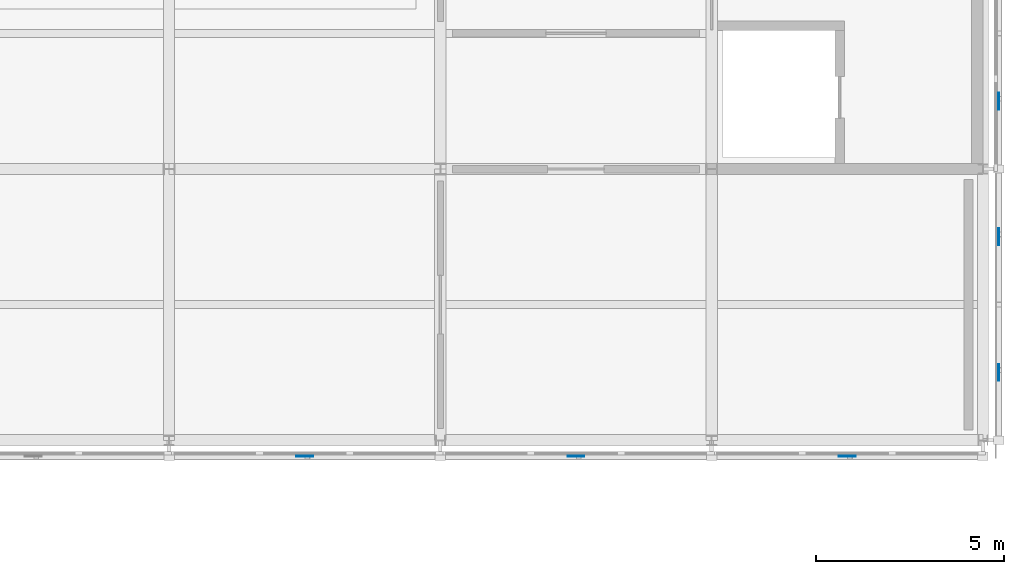
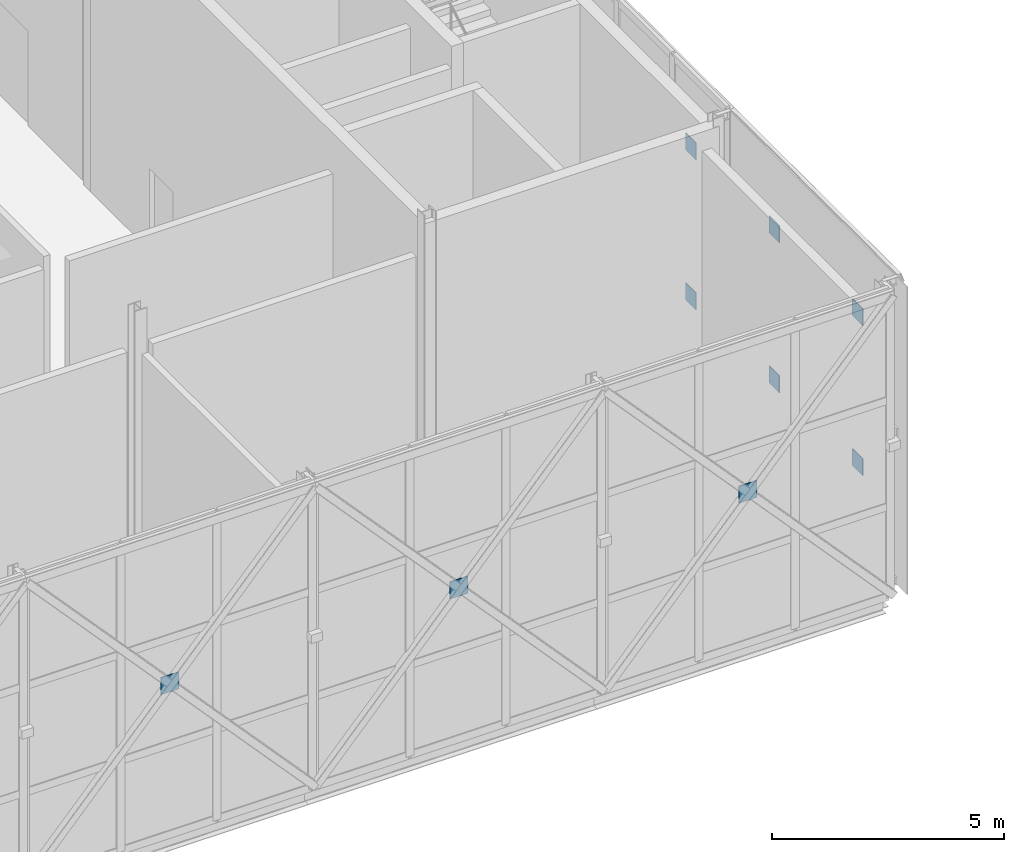
# One storey, part 64 of 76: 9 plates.
"""IFC4 building model written with IfcOpenShell, lengths in metres."""

from ifc_helpers import new_model, si_unit, direction, frame, origin, origin_2d, place, context, subcontext, project, spatial, rectangle, extrude, material, layer, layer_set, type_object, element, save


model = new_model("IFC4")

# Units and contexts
model_context = context("Model", 3, precision=1e-05, world=origin(), true_north=direction((0.0, 1.0)))
body_context = subcontext(model_context, "Body", "Model", "MODEL_VIEW")
ifc_project = project(units=[si_unit("LENGTHUNIT", "METRE"), si_unit("AREAUNIT", "SQUARE_METRE"), si_unit("VOLUMEUNIT", "CUBIC_METRE"), si_unit("PLANEANGLEUNIT", "RADIAN"), si_unit("MASSUNIT", "GRAM", prefix="KILO")], contexts=[model_context])

# Site, building, storey
site_placement = place(None, origin())
site = spatial("IfcSite", under=ifc_project, at=site_placement, CompositionType="ELEMENT")
building_placement = place(site_placement, origin())
building = spatial("IfcBuilding", under=site, at=building_placement, Name="Zlatovets Crest Museum", CompositionType="ELEMENT")
storey_placement = place(building_placement, frame((0.0, 0.0, 17.10009765625)))
storey = spatial("IfcBuildingStorey", under=building, at=storey_placement, Name="L04", CompositionType="ELEMENT", Elevation=17.10009765625)

# Plates
ifc_material = material(Name="Structural steel S355J2", Category="steel")
ifc_layer = layer(ifc_material, 0.02001953125)
ifc_layer_set = layer_set([ifc_layer], Name="Structural steel S355J2")
plate_type = type_object("IfcPlateType", Name="Gusset_GP-04", PredefinedType="USERDEFINED", material=ifc_layer_set)
for number, where, z_axis, x_axis, name in (
    (1, (90.0, 85.97998046875, 3.82470703125), (0.0, 0.0, 1.0), (1.0, 0.0, 0.0), "X-Brace Crossing Node Gusset Plate GP-04"),
    (2, (97.199951171875, 85.97998046875, 3.82470703125), (0.0, 0.0, 1.0), (1.0, 0.0, 0.0), "X-Brace Crossing Node Gusset Plate GP-04"),
    (3, (104.39990234375, 85.97998046875, 3.82470703125), (0.0, 0.0, 1.0), (1.0, 0.0, 0.0), "X-Brace Crossing Node Gusset Plate GP-04"),
):
    element("IfcPlate", number, at=place(storey_placement, frame(where, z_axis=z_axis, x_axis=x_axis)), inside=storey, type_object=plate_type, Name=name, ObjectType="GUSSET", PredefinedType="USERDEFINED", context=body_context, shape_type="SweptSolid", body=[
        extrude(rectangle(XDim=0.449951171875, YDim=0.02001953125, at=origin_2d()), origin(), (0.0, 0.0, 1.0), 0.449951171875),
    ])
for number, where, z_axis, x_axis, name in (
    (4, (108.419921875, 88.199951171875, 1.85009765625), (0.0, 0.0, 1.0), (1.0, 0.0, 0.0), "X-Brace Crossing Node Gusset Plate GP-04"),
    (5, (108.419921875, 91.800048828125, 1.85009765625), (0.0, 0.0, 1.0), (1.0, 0.0, 0.0), "X-Brace Crossing Node Gusset Plate GP-04"),
    (6, (108.419921875, 88.199951171875, 5.7998046875), (0.0, 0.0, 1.0), (1.0, 0.0, 0.0), "X-Brace Crossing Node Gusset Plate GP-04"),
    (7, (108.419921875, 91.800048828125, 5.7998046875), (0.0, 0.0, 1.0), (1.0, 0.0, 0.0), "X-Brace Crossing Node Gusset Plate GP-04"),
    (8, (108.419921875, 95.39990234375, 1.85009765625), (0.0, 0.0, 1.0), (1.0, 0.0, 0.0), "X-Brace Crossing Node Gusset Plate GP-04"),
    (9, (108.419921875, 95.39990234375, 5.7998046875), (0.0, 0.0, 1.0), (1.0, 0.0, 0.0), "X-Brace Crossing Node Gusset Plate GP-04"),
):
    element("IfcPlate", number, at=place(storey_placement, frame(where, z_axis=z_axis, x_axis=x_axis)), inside=storey, type_object=plate_type, Name=name, ObjectType="GUSSET", PredefinedType="USERDEFINED", context=body_context, shape_type="SweptSolid", body=[
        extrude(rectangle(XDim=0.02001953125, YDim=0.449951171875, at=origin_2d()), origin(), (0.0, 0.0, 1.0), 0.449951171875),
    ])

save(model, "model.ifc")
